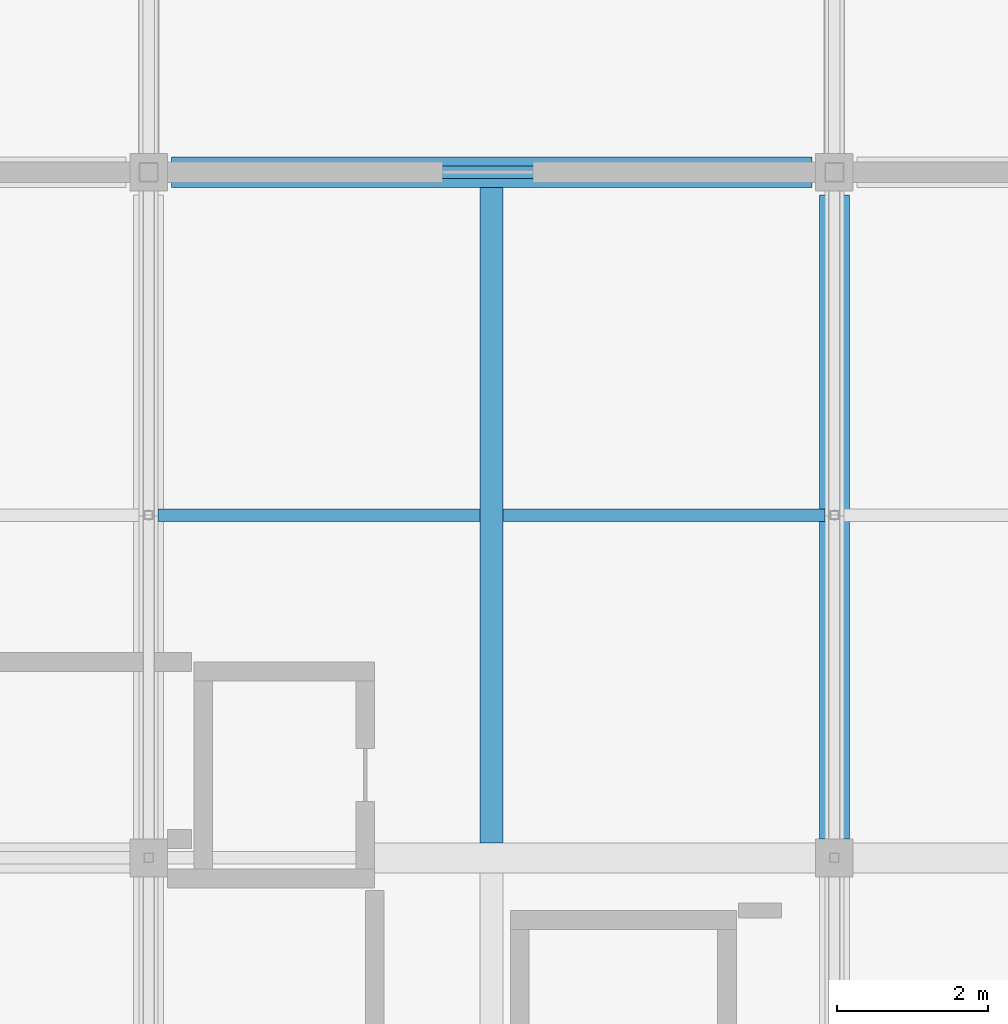
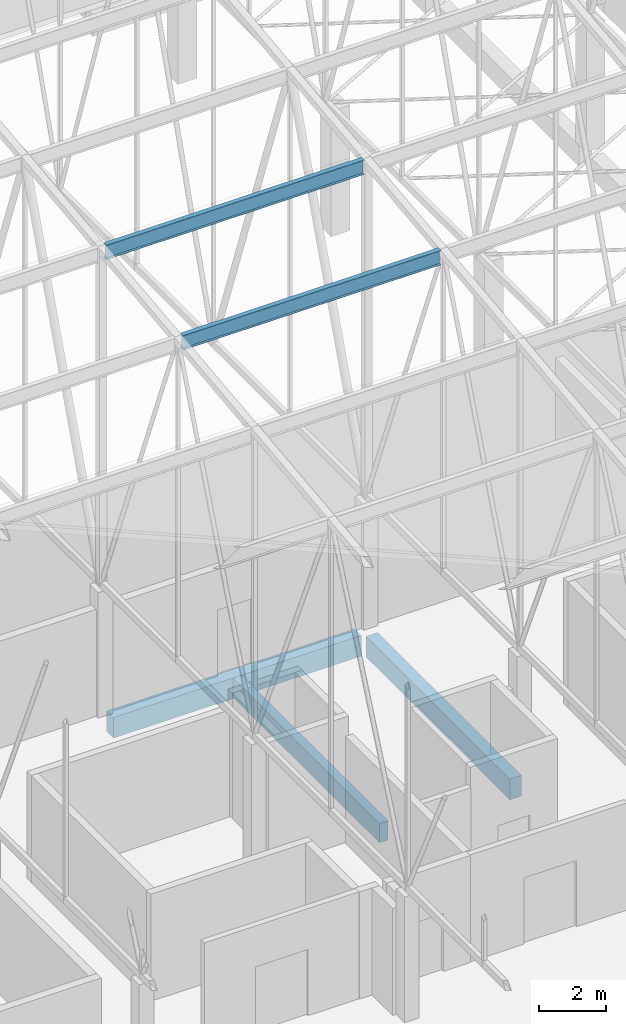
# One storey, part 350 of 500: 3 beams, 2 members.
"""IFC4 building model written with IfcOpenShell, lengths in metres."""

import ifcopenshell
import ifcopenshell.guid

model = None  # the IFC model being written
_history = None  # IfcOwnerHistory: only IFC2X3 demands one
_inside = {}  # id of a spatial element -> (the spatial element, [elements in it])
_under = {}  # id of a project, library or spatial element -> (it, [spatial elements below it])
_declared = {}  # id of a project -> (the project, [libraries it declares])
_typed = {}  # id of a type object -> (the type object, [elements of that type])
_made_of = {}  # id of a material, layer set ... -> (it, [elements and type objects made of it])


def new_model(schema):
    """Start an empty IFC model of exactly this schema.

    Asked for "IFC4X3", IfcOpenShell would pick the latest addendum, in which some entities
    have other attributes; the version numbers below select the first issue.
    IFC2X3 requires an IfcOwnerHistory on every rooted entity: one is made here for all.
    """
    global model, _history
    if schema == "IFC4X3":
        model = ifcopenshell.file(schema_version=(4, 3, 0, 0))
    else:
        model = ifcopenshell.file(schema=schema)
    _inside.clear()
    _under.clear()
    _declared.clear()
    _typed.clear()
    _made_of.clear()
    _history = None
    if model.schema == "IFC2X3":
        org = make("IfcOrganization", Name="unknown")
        user = make(
            "IfcPersonAndOrganization",
            ThePerson=make("IfcPerson", FamilyName="unknown"),
            TheOrganization=org,
        )
        app = make(
            "IfcApplication",
            ApplicationDeveloper=org,
            Version="unknown",
            ApplicationFullName="unknown",
            ApplicationIdentifier="unknown",
        )
        _history = make(
            "IfcOwnerHistory",
            OwningUser=user,
            OwningApplication=app,
            ChangeAction="ADDED",
            CreationDate=0,
        )
    return model


def make(cls, **values):
    """One entity of the class cls with the attributes given. An attribute that is None is left unset."""
    return model.create_entity(
        cls, **{name: value for name, value in values.items() if value is not None}
    )


def rooted(cls, **values):
    """An entity with a GlobalId (a new one), such as an element, a storey or a relation."""
    return make(cls, GlobalId=ifcopenshell.guid.new(), OwnerHistory=_history, **values)


def si_unit(unit_type, name, prefix=None):
    """IfcSIUnit, for example si_unit("LENGTHUNIT", "METRE", prefix="MILLI")."""
    return make("IfcSIUnit", UnitType=unit_type, Prefix=prefix, Name=name)


def assignment(units):
    """IfcUnitAssignment: the units of a project."""
    return None if units is None else make("IfcUnitAssignment", Units=units)


def point(xyz):
    """IfcCartesianPoint."""
    return None if xyz is None else make("IfcCartesianPoint", Coordinates=xyz)


def direction(xyz):
    """IfcDirection."""
    return None if xyz is None else make("IfcDirection", DirectionRatios=xyz)


def frame(location, z_axis=None, x_axis=None):
    """IfcAxis2Placement3D, a coordinate frame: its origin and axes. An axis left out is left unset."""
    return make(
        "IfcAxis2Placement3D",
        Location=point(location),
        Axis=direction(z_axis),
        RefDirection=direction(x_axis),
    )


def frame_2d(location, x_axis=None):
    """IfcAxis2Placement2D, a coordinate frame in the plane: its origin and x axis."""
    return make(
        "IfcAxis2Placement2D", Location=point(location), RefDirection=direction(x_axis)
    )


def origin():
    """The frame at (0, 0, 0) with its axes left unset."""
    return frame((0.0, 0.0, 0.0))


def origin_2d():
    """The frame at (0, 0) in the plane with its x axis left unset."""
    return frame_2d((0.0, 0.0))


def place(relative_to, where):
    """IfcLocalPlacement: puts the frame where relative to a parent placement (None: the world)."""
    return make(
        "IfcLocalPlacement", PlacementRelTo=relative_to, RelativePlacement=where
    )


def context(
    kind, dimensions, precision=None, world=None, true_north=None, identifier=None
):
    """IfcGeometricRepresentationContext, for example the 3D "Model" context."""
    return make(
        "IfcGeometricRepresentationContext",
        ContextIdentifier=identifier,
        ContextType=kind,
        CoordinateSpaceDimension=dimensions,
        Precision=precision,
        WorldCoordinateSystem=world,
        TrueNorth=true_north,
    )


def subcontext(parent, identifier, kind, view, scale=None):
    """IfcGeometricRepresentationSubContext, for example "Body" below "Model"."""
    return make(
        "IfcGeometricRepresentationSubContext",
        ContextIdentifier=identifier,
        ContextType=kind,
        ParentContext=parent,
        TargetScale=scale,
        TargetView=view,
    )


def project(units=None, contexts=None):
    """IfcProject with its units and contexts."""
    return rooted(
        "IfcProject",
        Name="project",
        RepresentationContexts=contexts,
        UnitsInContext=assignment(units),
    )


def spatial(cls, under=None, at=None, **own):
    """A site, building, storey or space (cls), placed at a placement, below another one or the project."""
    s = rooted(cls, ObjectPlacement=at, **own)
    if under is not None:
        _under.setdefault(under.id(), (under, []))[1].append(s)
    return s


def profile(cls, at=None, kind="AREA", **sizes):
    """A parametric profile (cls). Its sizes go by their IFC names, for example OverallWidth=200.0."""
    return make(cls, ProfileType=kind, Position=at, **sizes)


def rectangle(**sizes):
    """IfcRectangleProfileDef."""
    return profile("IfcRectangleProfileDef", **sizes)


def i_section(**sizes):
    """IfcIShapeProfileDef."""
    return profile("IfcIShapeProfileDef", **sizes)


def extrude(swept, where, along, depth):
    """IfcExtrudedAreaSolid: the profile swept, set in the frame where, extruded along a direction by depth."""
    return make(
        "IfcExtrudedAreaSolid",
        SweptArea=swept,
        Position=where,
        ExtrudedDirection=direction(along),
        Depth=depth,
    )


def shape(context_of_items, identifier, shape_type, items):
    """IfcShapeRepresentation: the items that make up one representation, for example the "Body"."""
    return make(
        "IfcShapeRepresentation",
        ContextOfItems=context_of_items,
        RepresentationIdentifier=identifier,
        RepresentationType=shape_type,
        Items=items,
    )


def material(Name=None, Category=None):
    """IfcMaterial."""
    return make("IfcMaterial", Name=Name, Category=Category)


def material_profile(
    of_material, cross_section, Name=None, Category=None, Priority=None
):
    """IfcMaterialProfile: a cross section and its material."""
    return make(
        "IfcMaterialProfile",
        Name=Name,
        Material=of_material,
        Profile=cross_section,
        Priority=Priority,
        Category=Category,
    )


def profile_set(profiles, Name=None, composite=None):
    """IfcMaterialProfileSet."""
    return make(
        "IfcMaterialProfileSet",
        Name=Name,
        MaterialProfiles=profiles,
        CompositeProfile=composite,
    )


def made_of(thing, what):
    """Note that an element or type object is made of a material, layer set ...; save() writes the relation."""
    if what is not None:
        _made_of.setdefault(what.id(), (what, []))[1].append(thing)
    return thing


def type_object(cls, material=None, **own):
    """A type object (cls), such as IfcWallType, which elements share."""
    return made_of(rooted(cls, **own), material)


def element(
    cls,
    number,
    at=None,
    inside=None,
    cuts=None,
    type_object=None,
    material=None,
    context=None,
    identifier="Body",
    shape_type=None,
    held_by="IfcProductDefinitionShape",
    body=None,
    shapes=None,
    **own,
):
    """One element of the class cls, such as IfcWall. Its Tag is "e" and its number.

    at: its placement. inside: the storey or other place that contains it. cuts: it is an
    opening in that element (IfcRelVoidsElement). A single representation is given by context,
    identifier, shape_type and body (its items); several are given by shapes. held_by: the class
    of the entity that holds the representations. save() writes the other relations.
    """
    e = rooted(cls, Tag="e%d" % number, ObjectPlacement=at, **own)
    if body is not None:
        shapes = [shape(context, identifier, shape_type, body)]
    if shapes is not None:
        e.Representation = make(held_by, Representations=shapes)
    if inside is not None:
        _inside.setdefault(inside.id(), (inside, []))[1].append(e)
    if cuts is not None:
        rooted(
            "IfcRelVoidsElement", RelatingBuildingElement=cuts, RelatedOpeningElement=e
        )
    if type_object is not None:
        _typed.setdefault(type_object.id(), (type_object, []))[1].append(e)
    return made_of(e, material)


def aggregate(whole, parts):
    """IfcRelAggregates: a whole, such as a stair, and the parts it consists of."""
    return rooted("IfcRelAggregates", RelatingObject=whole, RelatedObjects=parts)


def save(model, path):
    """Write the relations noted so far, then the file.

    IfcRelAggregates (storeys below a building ...), IfcRelContainedInSpatialStructure (elements
    in a storey), IfcRelDefinesByType, IfcRelAssociatesMaterial and IfcRelDeclares: one each for
    every whole, place, type object, material and project.
    """
    for whole, parts in _under.values():
        aggregate(whole, parts)
    for where, things in _inside.values():
        rooted(
            "IfcRelContainedInSpatialStructure",
            RelatedElements=things,
            RelatingStructure=where,
        )
    for kind, things in _typed.values():
        rooted("IfcRelDefinesByType", RelatedObjects=things, RelatingType=kind)
    for what, things in _made_of.values():
        rooted("IfcRelAssociatesMaterial", RelatedObjects=things, RelatingMaterial=what)
    for by, libraries in _declared.values():
        rooted("IfcRelDeclares", RelatingContext=by, RelatedDefinitions=libraries)
    model.write(path)


model = new_model("IFC4")

# Units and contexts
model_context = context("Model", 3, precision=1e-05, world=origin(), true_north=direction((0.0, 1.0)))
body_context = subcontext(model_context, "Body", "Model", "MODEL_VIEW")
ifc_project = project(units=[si_unit("LENGTHUNIT", "METRE"), si_unit("AREAUNIT", "SQUARE_METRE"), si_unit("VOLUMEUNIT", "CUBIC_METRE"), si_unit("PLANEANGLEUNIT", "RADIAN"), si_unit("MASSUNIT", "GRAM", prefix="KILO")], contexts=[model_context])

# Site, building, storey
site_placement = place(None, origin())
site = spatial("IfcSite", under=ifc_project, at=site_placement, CompositionType="ELEMENT")
building_placement = place(site_placement, origin())
building = spatial("IfcBuilding", under=site, at=building_placement, Name="Shirokan Park Arena", CompositionType="ELEMENT")
storey_placement = place(building_placement, frame((0.0, 0.0, 29.1201171875)))
storey = spatial("IfcBuildingStorey", under=building, at=storey_placement, Name="L06", CompositionType="ELEMENT", Elevation=29.1201171875)

# Members
ifc_material_1 = material(Name="Steel ASTM A992", Category="steel")
ifc_material_profile_1 = material_profile(ifc_material_1, i_section(OverallWidth=0.166015625, OverallDepth=0.528076171875, WebThickness=0.009765625, FlangeThickness=0.013671875, at=origin_2d()), Name="W530X74")
ifc_profile_set_1 = profile_set([ifc_material_profile_1], Name="Steel ASTM A992")
member_type = type_object("IfcMemberType", Name="Purlin W530X74", PredefinedType="PURLIN", material=ifc_profile_set_1)
for number, where, z_axis, x_axis, name in (
    (1, (118.427001953125, 31.85009765625, 16.1259765625), (1.0, 0.0, 0.0), (0.0, 1.0, 0.0), "Purlin 10 bay 14"),
    (2, (118.427001953125, 36.39990234375, 16.64599609375), (1.0, 0.0, 0.0), (0.0, 1.0, 0.0), "Purlin 11 bay 14"),
):
    element("IfcMember", number, at=place(storey_placement, frame(where, z_axis=z_axis, x_axis=x_axis)), inside=storey, type_object=member_type, Name=name, PredefinedType="PURLIN", context=body_context, shape_type="SweptSolid", body=[
        extrude(i_section(OverallWidth=0.166015625, OverallDepth=0.528076171875, WebThickness=0.009765625, FlangeThickness=0.013671875, at=origin_2d()), origin(), (0.0, 0.0, 1.0), 8.845947265625),
    ])

# Beams
ifc_material_2 = material(Name="Concrete C35", Category="concrete")
ifc_material_profile_2 = material_profile(ifc_material_2, rectangle(XDim=0.39990234375, YDim=0.75, at=origin_2d()), Name="400x750")
ifc_profile_set_2 = profile_set([ifc_material_profile_2], Name="Concrete C35")
beam_type_1 = type_object("IfcBeamType", Name="RC girder 400x750", PredefinedType="BEAM", material=ifc_profile_set_2)
beam_1_placement = place(storey_placement, frame((118.60009765625, 36.39990234375, -0.5751953125), z_axis=(1.0, 0.0, 0.0), x_axis=(0.0, 1.0, 0.0)))
element("IfcBeam", 3, at=beam_1_placement, inside=storey, type_object=beam_type_1, Name="Girder 14E-15E L06", PredefinedType="BEAM", context=body_context, shape_type="SweptSolid", body=[
    extrude(rectangle(XDim=0.39990234375, YDim=0.75, at=origin_2d()), origin(), (0.0, 0.0, 1.0), 8.499755859375),
])
beam_2_placement = place(storey_placement, frame((127.39990234375, 27.550048828125, -0.5751953125), z_axis=(0.0, 1.0, 0.0), x_axis=(-1.0, 0.0, 0.0)))
element("IfcBeam", 4, at=beam_2_placement, inside=storey, type_object=beam_type_1, Name="Girder 15D-15E L06", PredefinedType="BEAM", context=body_context, shape_type="SweptSolid", body=[
    extrude(rectangle(XDim=0.39990234375, YDim=0.75, at=origin_2d()), origin(), (0.0, 0.0, 1.0), 8.5498046875),
])
ifc_material_profile_3 = material_profile(ifc_material_2, rectangle(XDim=0.300048828125, YDim=0.699951171875, at=origin_2d()), Name="300x700")
ifc_profile_set_3 = profile_set([ifc_material_profile_3], Name="Concrete C35")
beam_type_2 = type_object("IfcBeamType", Name="RC joist 300x700", PredefinedType="JOIST", material=ifc_profile_set_3)
beam_3_placement = place(storey_placement, frame((122.85009765625, 27.5, -0.550048828125), z_axis=(0.0, 1.0, 0.0), x_axis=(-1.0, 0.0, 0.0)))
element("IfcBeam", 5, at=beam_3_placement, inside=storey, type_object=beam_type_2, Name="Joist 14D L06", PredefinedType="JOIST", context=body_context, shape_type="SweptSolid", body=[
    extrude(rectangle(XDim=0.300048828125, YDim=0.699951171875, at=origin_2d()), origin(), (0.0, 0.0, 1.0), 8.699951171875),
])

save(model, "model.ifc")
